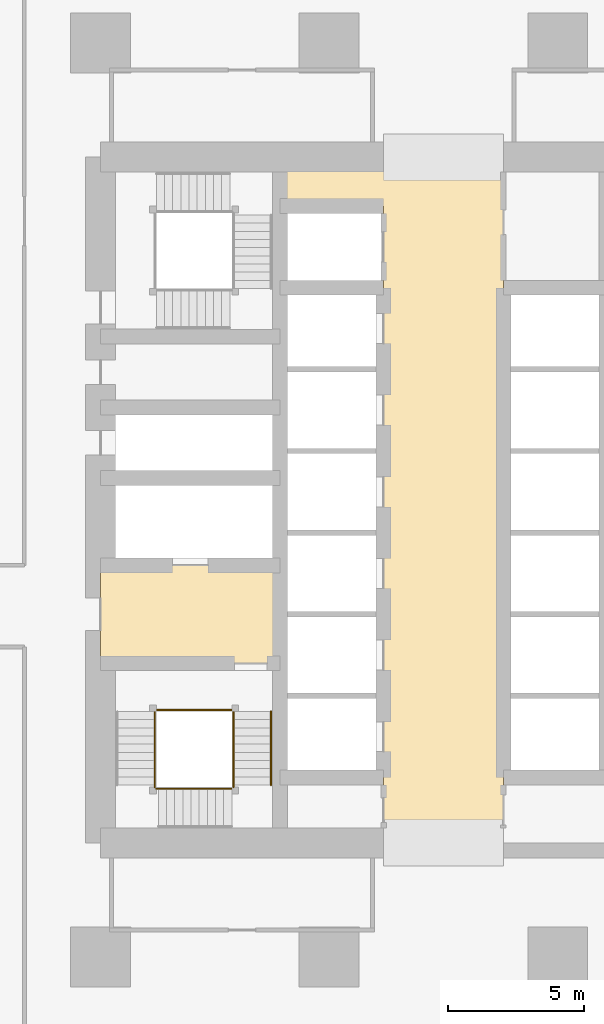
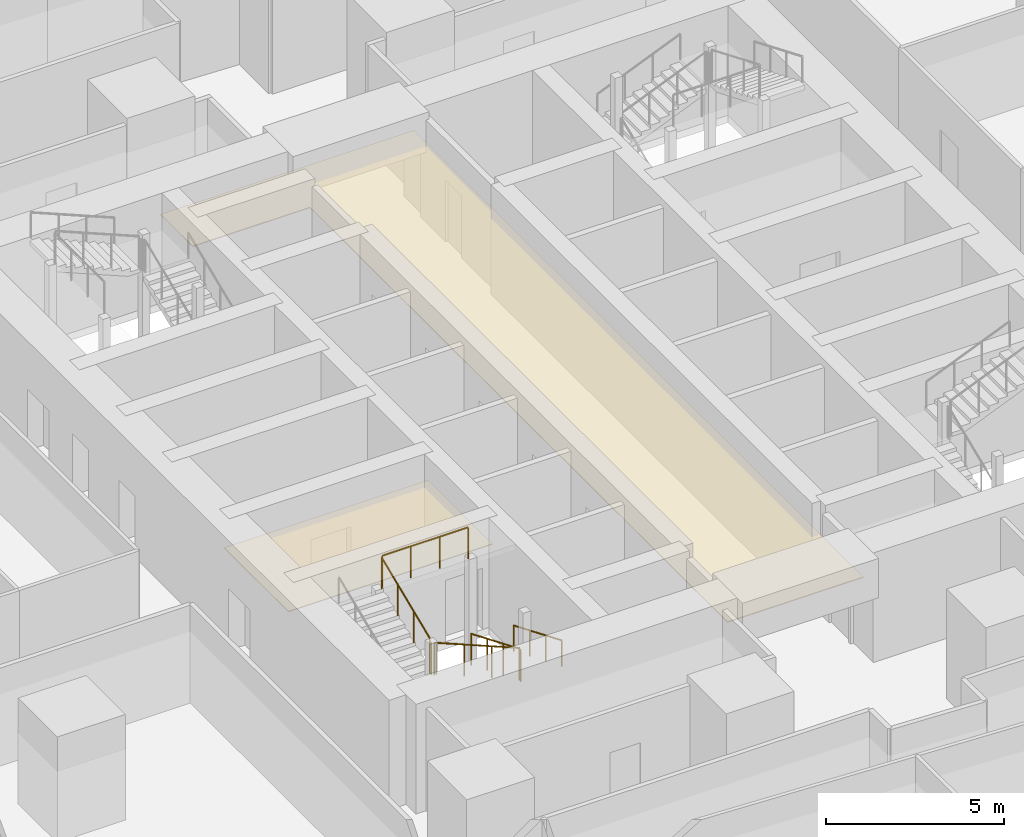
# One storey, part 37 of 44: 8 railings, 2 coverings.
"""IFC4 building model written with IfcOpenShell, lengths in metres."""

from ifc_helpers import new_model, si_unit, direction, frame, origin, origin_2d, place, context, subcontext, project, spatial, polyline, circle, outline, extrude, material, layer, layer_set, type_object, element, save


model = new_model("IFC4")

# Units and contexts
model_context = context("Model", 3, precision=1e-05, world=origin(), true_north=direction((0.0, 1.0)))
body_context = subcontext(model_context, "Body", "Model", "MODEL_VIEW")
ifc_project = project(units=[si_unit("LENGTHUNIT", "METRE"), si_unit("AREAUNIT", "SQUARE_METRE"), si_unit("VOLUMEUNIT", "CUBIC_METRE"), si_unit("PLANEANGLEUNIT", "RADIAN"), si_unit("MASSUNIT", "GRAM", prefix="KILO")], contexts=[model_context])

# Site, building, storey
site_placement = place(None, origin())
site = spatial("IfcSite", under=ifc_project, at=site_placement, CompositionType="ELEMENT")
building_placement = place(site_placement, origin())
building = spatial("IfcBuilding", under=site, at=building_placement, Name="Rekha Terrace Tower", CompositionType="ELEMENT")
storey_placement = place(building_placement, frame((0.0, 0.0, 66.64990234375)))
storey = spatial("IfcBuildingStorey", under=building, at=storey_placement, Name="L16", CompositionType="ELEMENT", Elevation=66.64990234375)

# Coverings
ifc_material_1 = material(Name="Powder-coated aluminium pan", Category="aluminium")
ifc_layer = layer(ifc_material_1, 0.030029296875)
ifc_layer_set = layer_set([ifc_layer], Name="Powder-coated aluminium pan")
covering_type = type_object("IfcCoveringType", Name="CL3 300x1200 metal pan ceiling", PredefinedType="CEILING", material=ifc_layer_set)
covering_1_placement = place(storey_placement, frame((0.0, 0.0, 2.570068359375)))
element("IfcCovering", 1, at=covering_1_placement, inside=storey, type_object=covering_type, Name="Ceiling L16-LOBBY", PredefinedType="CEILING", context=body_context, shape_type="SweptSolid", body=[
    extrude(outline(polyline([(35.60009765625, 44.39990234375), (35.60009765625, 21.0), (40.0, 21.0), (40.0, 46.199951171875), (31.800048828125, 46.199951171875), (31.800048828125, 44.39990234375), (35.60009765625, 44.39990234375)])), origin(), (0.0, 0.0, 1.0), 0.030029296875),
])
covering_2_placement = place(storey_placement, frame((0.0, 0.0, 2.570068359375)))
element("IfcCovering", 2, at=covering_2_placement, inside=storey, type_object=covering_type, Name="Ceiling L16-FLB1", PredefinedType="CEILING", context=body_context, shape_type="SweptSolid", body=[
    extrude(outline(polyline([(31.800048828125, 31.199951171875), (25.199951171875, 31.199951171875), (25.199951171875, 27.60009765625), (31.800048828125, 27.60009765625), (31.800048828125, 31.199951171875)])), origin(), (0.0, 0.0, 1.0), 0.030029296875),
])

# Railings
ifc_material_2 = material(Name="Stainless steel balustrade", Category="steel")
railing_type_1 = type_object("IfcRailingType", Name="GR1 1100 stair guard", PredefinedType="GUARDRAIL", material=ifc_material_2)
railing_1_placement = place(storey_placement, frame((30.0849609375, 25.824951171875, 0.125)))
element("IfcRailing", 3, at=railing_1_placement, inside=storey, type_object=railing_type_1, Name="Guard ST1 L16 flight 1", PredefinedType="GUARDRAIL", context=body_context, shape_type="SweptSolid", body=[
    extrude(circle(Radius=0.02392578125, at=origin_2d()), frame((0.0, 0.0, 1.076171875), z_axis=(0.0, -0.923074453586, 0.384621311341), x_axis=(1.0, 0.0, 0.0)), (0.0, 0.0, 1.0), 2.925048828125),
    extrude(circle(Radius=0.02099609375, at=origin_2d()), origin(), (0.0, 0.0, 1.0), 1.052001953125),
    extrude(circle(Radius=0.02099609375, at=origin_2d()), frame((0.0, -0.89990234375, 0.375)), (0.0, 0.0, 1.0), 1.052001953125),
    extrude(circle(Radius=0.02099609375, at=origin_2d()), frame((0.0, -1.800048828125, 0.75)), (0.0, 0.0, 1.0), 1.052001953125),
    extrude(circle(Radius=0.02099609375, at=origin_2d()), frame((0.0, -2.699951171875, 1.125)), (0.0, 0.0, 1.0), 1.052001953125),
])
railing_2_placement = place(storey_placement, frame((30.02490234375, 22.989990234375, 1.375)))
element("IfcRailing", 4, at=railing_2_placement, inside=storey, type_object=railing_type_1, Name="Guard ST1 L16 flight 2", PredefinedType="GUARDRAIL", context=body_context, shape_type="SweptSolid", body=[
    extrude(circle(Radius=0.02392578125, at=origin_2d()), frame((0.0, 0.0, 1.076171875), z_axis=(-0.923074453586, 0.0, 0.384621311341), x_axis=(0.0, -1.0, 0.0)), (0.0, 0.0, 1.0), 2.925048828125),
    extrude(circle(Radius=0.02099609375, at=origin_2d()), origin(), (0.0, 0.0, 1.0), 1.052001953125),
    extrude(circle(Radius=0.02099609375, at=origin_2d()), frame((-0.89990234375, 0.0, 0.375)), (0.0, 0.0, 1.0), 1.052001953125),
    extrude(circle(Radius=0.02099609375, at=origin_2d()), frame((-1.800048828125, 0.0, 0.75)), (0.0, 0.0, 1.0), 1.052001953125),
    extrude(circle(Radius=0.02099609375, at=origin_2d()), frame((-2.699951171875, 0.0, 1.125)), (0.0, 0.0, 1.0), 1.052001953125),
])
railing_3_placement = place(storey_placement, frame((27.18994140625, 23.125, 2.625)))
element("IfcRailing", 5, at=railing_3_placement, inside=storey, type_object=railing_type_1, Name="Guard ST1 L16 flight 3", PredefinedType="GUARDRAIL", context=body_context, shape_type="SweptSolid", body=[
    extrude(circle(Radius=0.02392578125, at=origin_2d()), frame((0.0, 0.0, 1.076171875), z_axis=(0.0, 0.923074453586, 0.384621311341), x_axis=(-1.0, 0.0, 0.0)), (0.0, 0.0, 1.0), 2.925048828125),
    extrude(circle(Radius=0.02099609375, at=origin_2d()), origin(), (0.0, 0.0, 1.0), 1.052001953125),
    extrude(circle(Radius=0.02099609375, at=origin_2d()), frame((0.0, 0.89990234375, 0.375)), (0.0, 0.0, 1.0), 1.052001953125),
    extrude(circle(Radius=0.02099609375, at=origin_2d()), frame((0.0, 1.800048828125, 0.75)), (0.0, 0.0, 1.0), 1.052001953125),
    extrude(circle(Radius=0.02099609375, at=origin_2d()), frame((0.0, 2.699951171875, 1.125)), (0.0, 0.0, 1.0), 1.052001953125),
])
railing_4_placement = place(storey_placement, frame((30.0849609375, 23.125, 1.25)))
element("IfcRailing", 6, at=railing_4_placement, inside=storey, type_object=railing_type_1, Name="Guard ST1 L16 landing 1", PredefinedType="GUARDRAIL", context=body_context, shape_type="SweptSolid", body=[
    extrude(circle(Radius=0.02392578125, at=origin_2d()), frame((0.0, 0.0, 1.076171875), z_axis=(0.0, -1.0, 0.0), x_axis=(1.0, 0.0, 0.0)), (0.0, 0.0, 1.0), 0.074951171875),
    extrude(circle(Radius=0.02099609375, at=origin_2d()), origin(), (0.0, 0.0, 1.0), 1.052001953125),
    extrude(circle(Radius=0.02099609375, at=origin_2d()), frame((0.0, -0.074951171875, 0.0)), (0.0, 0.0, 1.0), 1.052001953125),
])
railing_5_placement = place(storey_placement, frame((27.324951171875, 22.989990234375, 2.5)))
element("IfcRailing", 7, at=railing_5_placement, inside=storey, type_object=railing_type_1, Name="Guard ST1 L16 landing 2", PredefinedType="GUARDRAIL", context=body_context, shape_type="SweptSolid", body=[
    extrude(circle(Radius=0.02392578125, at=origin_2d()), frame((0.0, 0.0, 1.076171875), z_axis=(-1.0, 0.0, 0.0), x_axis=(0.0, -1.0, 0.0)), (0.0, 0.0, 1.0), 0.074951171875),
    extrude(circle(Radius=0.02099609375, at=origin_2d()), origin(), (0.0, 0.0, 1.0), 1.052001953125),
    extrude(circle(Radius=0.02099609375, at=origin_2d()), frame((-0.074951171875, 0.0, 0.0)), (0.0, 0.0, 1.0), 1.052001953125),
])
railing_6_placement = place(storey_placement, frame((27.18994140625, 23.125, 2.5)))
element("IfcRailing", 8, at=railing_6_placement, inside=storey, type_object=railing_type_1, Name="Guard ST1 L16 landing 3", PredefinedType="GUARDRAIL", context=body_context, shape_type="SweptSolid", body=[
    extrude(circle(Radius=0.02392578125, at=origin_2d()), frame((0.0, 0.0, 1.076171875), z_axis=(0.0, -1.0, 0.0), x_axis=(1.0, 0.0, 0.0)), (0.0, 0.0, 1.0), 0.074951171875),
    extrude(circle(Radius=0.02099609375, at=origin_2d()), origin(), (0.0, 0.0, 1.0), 1.052001953125),
    extrude(circle(Radius=0.02099609375, at=origin_2d()), frame((0.0, -0.074951171875, 0.0)), (0.0, 0.0, 1.0), 1.052001953125),
])
railing_7_placement = place(storey_placement, frame((30.02490234375, 25.885009765625, 3.75)))
element("IfcRailing", 9, at=railing_7_placement, inside=storey, type_object=railing_type_1, Name="Guard ST1 L16 landing 4", PredefinedType="GUARDRAIL", context=body_context, shape_type="SweptSolid", body=[
    extrude(circle(Radius=0.02392578125, at=origin_2d()), frame((0.0, 0.0, 1.076171875), z_axis=(-1.0, 0.0, 0.0), x_axis=(0.0, -1.0, 0.0)), (0.0, 0.0, 1.0), 2.77490234375),
    extrude(circle(Radius=0.02099609375, at=origin_2d()), origin(), (0.0, 0.0, 1.0), 1.052001953125),
    extrude(circle(Radius=0.02099609375, at=origin_2d()), frame((-0.925048828125, 0.0, 0.0)), (0.0, 0.0, 1.0), 1.052001953125),
    extrude(circle(Radius=0.02099609375, at=origin_2d()), frame((-1.849853515625, 0.0, 0.0)), (0.0, 0.0, 1.0), 1.052001953125),
    extrude(circle(Radius=0.02099609375, at=origin_2d()), frame((-2.77490234375, 0.0, 0.0)), (0.0, 0.0, 1.0), 1.052001953125),
])
ifc_material_3 = material(Name="Stainless steel tube", Category="steel")
railing_type_2 = type_object("IfcRailingType", Name="HR1 900 stair handrail", PredefinedType="HANDRAIL", material=ifc_material_3)
railing_8_placement = place(storey_placement, frame((31.465087890625, 25.824951171875, 0.125)))
element("IfcRailing", 10, at=railing_8_placement, inside=storey, type_object=railing_type_2, Name="Handrail ST1 L16 flight 1", PredefinedType="HANDRAIL", context=body_context, shape_type="SweptSolid", body=[
    extrude(circle(Radius=0.02392578125, at=origin_2d()), frame((0.0, 0.0, 0.8759765625), z_axis=(0.0, -0.923074453586, 0.384621311341), x_axis=(1.0, 0.0, 0.0)), (0.0, 0.0, 1.0), 2.925048828125),
    extrude(circle(Radius=0.02099609375, at=origin_2d()), origin(), (0.0, 0.0, 1.0), 0.851806640625),
    extrude(circle(Radius=0.02099609375, at=origin_2d()), frame((0.0, -0.89990234375, 0.375)), (0.0, 0.0, 1.0), 0.851806640625),
    extrude(circle(Radius=0.02099609375, at=origin_2d()), frame((0.0, -1.800048828125, 0.75)), (0.0, 0.0, 1.0), 0.851806640625),
    extrude(circle(Radius=0.02099609375, at=origin_2d()), frame((0.0, -2.699951171875, 1.125)), (0.0, 0.0, 1.0), 0.851806640625),
])

save(model, "model.ifc")
